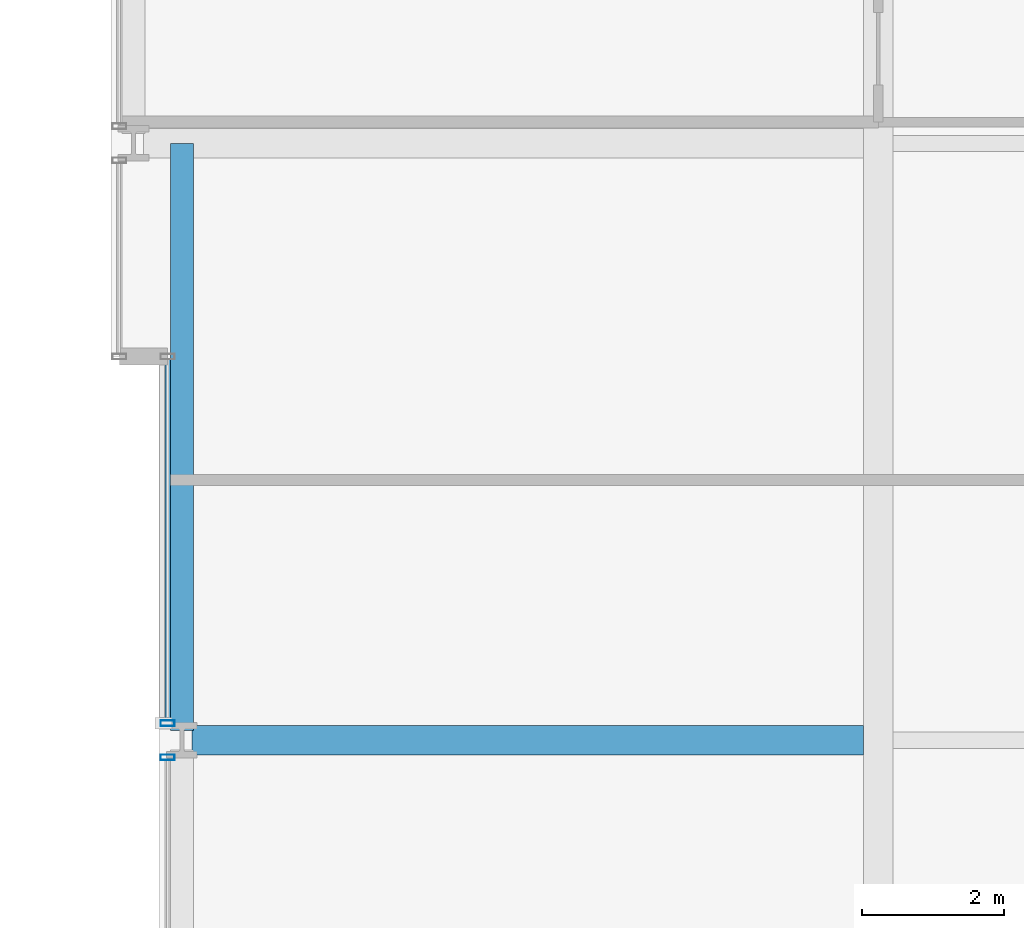
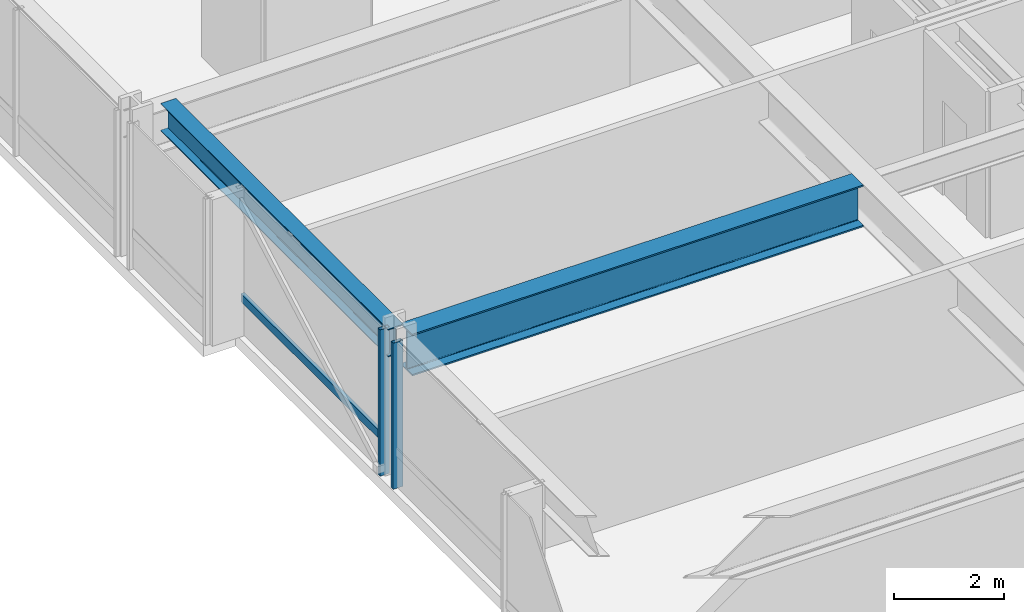
# One storey, part 9 of 38: 3 members, 2 beams, 2 elements without a shape of their own.
"""IFC4 building model written with IfcOpenShell, lengths in metres."""

from ifc_helpers import new_model, si_unit, direction, frame, origin, origin_2d, place, context, subcontext, project, spatial, hollow_rectangle, i_section, extrude, material, layer, layer_set, material_profile, profile_set, type_object, element, aggregate, save


model = new_model("IFC4")

# Units and contexts
model_context = context("Model", 3, precision=1e-05, world=origin(), true_north=direction((0.0, 1.0)))
body_context = subcontext(model_context, "Body", "Model", "MODEL_VIEW")
ifc_project = project(units=[si_unit("LENGTHUNIT", "METRE"), si_unit("AREAUNIT", "SQUARE_METRE"), si_unit("VOLUMEUNIT", "CUBIC_METRE"), si_unit("PLANEANGLEUNIT", "RADIAN"), si_unit("MASSUNIT", "GRAM", prefix="KILO")], contexts=[model_context])

# Site, building, storey
site_placement = place(None, origin())
site = spatial("IfcSite", under=ifc_project, at=site_placement, CompositionType="ELEMENT")
building_placement = place(site_placement, origin())
building = spatial("IfcBuilding", under=site, at=building_placement, Name="Drelvath Grand Hotel", CompositionType="ELEMENT")
storey_placement = place(building_placement, frame((0.0, 0.0, 57.699951171875)))
storey = spatial("IfcBuildingStorey", under=building, at=storey_placement, Name="L13", CompositionType="ELEMENT", Elevation=57.699951171875)

# Curtain wall, member
ifc_material_1 = material(Name="Warm Bronze Anodised Aluminium Frame", Category="aluminium")
ifc_layer = layer(ifc_material_1, 0.199951171875)
ifc_layer_set = layer_set([ifc_layer], Name="Warm Bronze Anodised Aluminium Frame")
curtain_wall_type = type_object("IfcCurtainWallType", Name="Stick Curtain Wall CW-02 Warm Bronze Low-Rise", PredefinedType="NOTDEFINED", material=ifc_layer_set)
curtain_wall_1_placement = place(storey_placement, origin())
curtain_wall_1 = element("IfcCurtainWall", 1, at=curtain_wall_1_placement, inside=storey, type_object=curtain_wall_type, Name="L13 CW-02 Curtain Wall CW02-L13-WM2", PredefinedType="NOTDEFINED")
ifc_material_profile_1 = material_profile(ifc_material_1, hollow_rectangle(XDim=0.074951171875, YDim=0.179931640625, WallThickness=0.0048828125, at=origin_2d()), Name="HSS180X75X5")
ifc_profile_set_1 = profile_set([ifc_material_profile_1], Name="Warm Bronze Anodised Aluminium Frame")
member_type_1 = type_object("IfcMemberType", Name="Curtain Wall Horizontal Transom CW-02 HSS180X75X5", PredefinedType="USERDEFINED", material=ifc_profile_set_1)
member_1_placement = place(storey_placement, frame((-26.199951171875, 27.281005859375, 0.81005859375), z_axis=(0.0, 1.0, 0.0), x_axis=(-1.0, 0.0, 0.0)))
member_1 = element("IfcMember", 2, at=member_1_placement, type_object=member_type_1, Name="CW02-L13-WM2 Sill Transom", ObjectType="TRANSOM", PredefinedType="USERDEFINED", context=body_context, shape_type="SweptSolid", body=[
    extrude(hollow_rectangle(XDim=0.074951171875, YDim=0.179931640625, WallThickness=0.0048828125, at=origin_2d()), origin(), (0.0, 0.0, 1.0), 5.0791015625),
])

curtain_wall_2_placement = place(storey_placement, origin())
curtain_wall_2 = element("IfcCurtainWall", 3, at=curtain_wall_2_placement, inside=storey, type_object=curtain_wall_type, Name="L13 CW-02 Curtain Wall CW02-L13-WM1", PredefinedType="NOTDEFINED")
ifc_material_profile_2 = material_profile(ifc_material_1, hollow_rectangle(XDim=0.080078125, YDim=0.199951171875, WallThickness=0.0048828125, at=origin_2d()), Name="HSS200X80X5")
ifc_profile_set_2 = profile_set([ifc_material_profile_2], Name="Warm Bronze Anodised Aluminium Frame")
member_type_2 = type_object("IfcMemberType", Name="Curtain Wall Vertical Mullion CW-02 HSS200X80X5", PredefinedType="MULLION", material=ifc_profile_set_2)
member_2_placement = place(storey_placement, frame((-26.199951171875, 26.759033203125, 0.0), z_axis=(0.0, 0.0, 1.0), x_axis=(0.0, 1.0, 0.0)))
member_2 = element("IfcMember", 4, at=member_2_placement, type_object=member_type_2, Name="CW02-L13-WM1 Mullion 2", PredefinedType="MULLION", context=body_context, shape_type="SweptSolid", body=[
    extrude(hollow_rectangle(XDim=0.080078125, YDim=0.199951171875, WallThickness=0.0048828125, at=origin_2d()), origin(), (0.0, 0.0, 1.0), 3.239990234375),
])
aggregate(curtain_wall_2, [member_2])

# Member
member_3_placement = place(storey_placement, frame((-26.199951171875, 27.240966796875, 0.0), z_axis=(0.0, 0.0, 1.0), x_axis=(0.0, 1.0, 0.0)))
member_3 = element("IfcMember", 5, at=member_3_placement, type_object=member_type_2, Name="CW02-L13-WM2 Mullion 1", PredefinedType="MULLION", context=body_context, shape_type="SweptSolid", body=[
    extrude(hollow_rectangle(XDim=0.080078125, YDim=0.199951171875, WallThickness=0.0048828125, at=origin_2d()), origin(), (0.0, 0.0, 1.0), 3.239990234375),
])

aggregate(curtain_wall_1, [member_3, member_1])

# Beams
ifc_material_2 = material(Name="Steel ASTM A992 Gr 50", Category="steel")
ifc_material_profile_3 = material_profile(ifc_material_2, i_section(OverallWidth=0.323974609375, OverallDepth=0.611083984375, WebThickness=0.0126953125, FlangeThickness=0.01904296875, FilletRadius=0.02197265625, at=origin_2d()), Name="W24X104")
ifc_profile_set_3 = profile_set([ifc_material_profile_3], Name="Steel ASTM A992 Gr 50")
beam_type_1 = type_object("IfcBeamType", Name="Perimeter Spandrel Beam W24X104", PredefinedType="SPANDREL", material=ifc_profile_set_3)
beam_1_placement = place(storey_placement, frame((-26.0, 27.139892578125, 2.9345703125), z_axis=(0.0, 1.0, 0.0), x_axis=(-1.0, 0.0, 0.0)))
element("IfcBeam", 6, at=beam_1_placement, inside=storey, type_object=beam_type_1, Name="L13 Spandrel West Mid N", PredefinedType="SPANDREL", context=body_context, shape_type="SweptSolid", body=[
    extrude(i_section(OverallWidth=0.323974609375, OverallDepth=0.611083984375, WebThickness=0.0126953125, FlangeThickness=0.01904296875, FilletRadius=0.02197265625, at=origin_2d()), origin(), (0.0, 0.0, 1.0), 8.260009765625),
])
ifc_material_profile_4 = material_profile(ifc_material_2, i_section(OverallWidth=0.418212890625, OverallDepth=0.926513671875, WebThickness=0.019287109375, FlangeThickness=0.031982421875, FilletRadius=0.028076171875, at=origin_2d()), Name="W36X231")
ifc_profile_set_4 = profile_set([ifc_material_profile_4], Name="Steel ASTM A992 Gr 50")
beam_type_2 = type_object("IfcBeamType", Name="Primary Floor Girder W36X231", PredefinedType="BEAM", material=ifc_profile_set_4)
beam_2_placement = place(storey_placement, frame((-25.860107421875, 27.0, 2.77685546875), z_axis=(1.0, 0.0, 0.0), x_axis=(0.0, 1.0, 0.0)))
element("IfcBeam", 7, at=beam_2_placement, inside=storey, type_object=beam_type_2, Name="L13 West Wing Girder E", PredefinedType="BEAM", context=body_context, shape_type="SweptSolid", body=[
    extrude(i_section(OverallWidth=0.418212890625, OverallDepth=0.926513671875, WebThickness=0.019287109375, FlangeThickness=0.031982421875, FilletRadius=0.028076171875, at=origin_2d()), origin(), (0.0, 0.0, 1.0), 9.450927734375),
])

save(model, "model.ifc")
